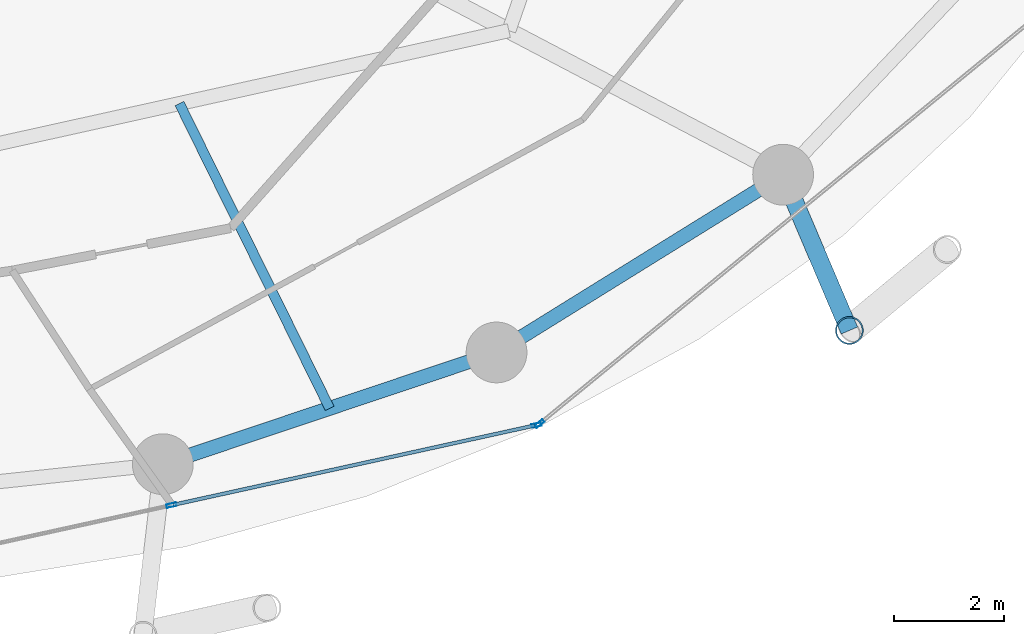
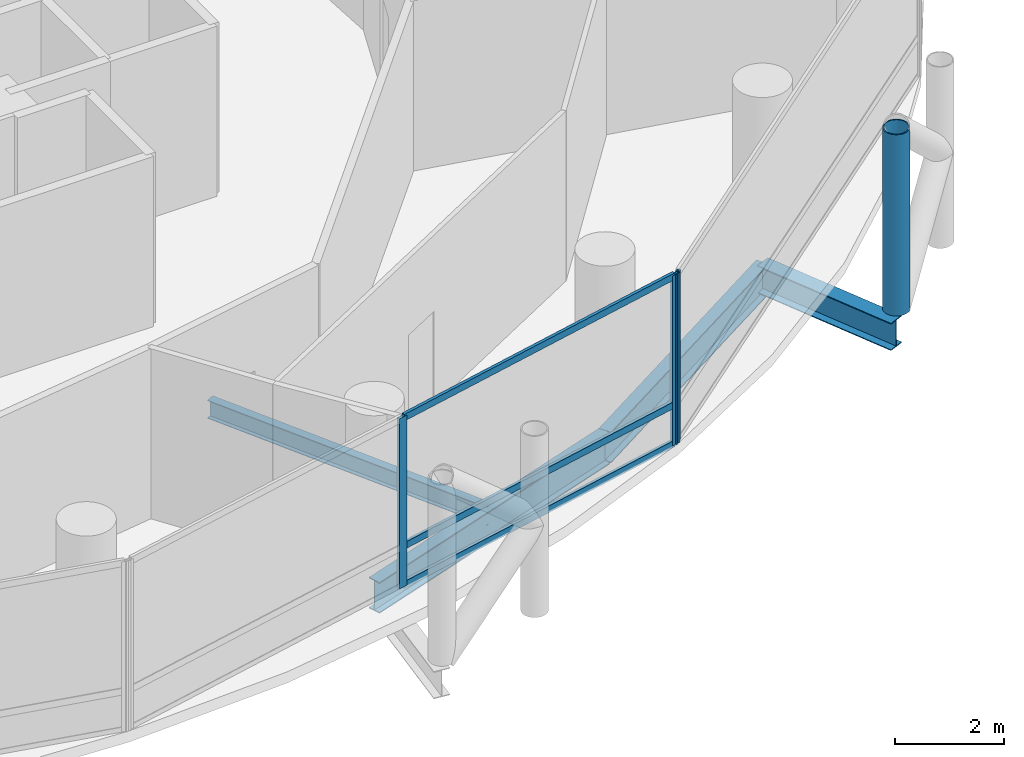
# One storey, part 8 of 24: 7 members, 4 beams, 2 elements without a shape of their own.
"""IFC4 building model written with IfcOpenShell, lengths in metres."""

from ifc_helpers import new_model, si_unit, direction, frame, origin, origin_2d, place, context, subcontext, project, spatial, hollow_rectangle, hollow_circle, i_section, extrude, material, layer, layer_set, material_profile, profile_set, type_object, element, aggregate, save


model = new_model("IFC4")

# Units and contexts
model_context = context("Model", 3, precision=1e-05, world=origin(), true_north=direction((0.0, 1.0)))
body_context = subcontext(model_context, "Body", "Model", "MODEL_VIEW")
ifc_project = project(units=[si_unit("LENGTHUNIT", "METRE"), si_unit("AREAUNIT", "SQUARE_METRE"), si_unit("VOLUMEUNIT", "CUBIC_METRE"), si_unit("PLANEANGLEUNIT", "RADIAN"), si_unit("MASSUNIT", "GRAM", prefix="KILO")], contexts=[model_context])

# Site, building, storey
site_placement = place(None, origin())
site = spatial("IfcSite", under=ifc_project, at=site_placement, CompositionType="ELEMENT")
building_placement = place(site_placement, origin())
building = spatial("IfcBuilding", under=site, at=building_placement, Name="Nuhasar Tower", CompositionType="ELEMENT")
storey_placement = place(building_placement, frame((0.0, 0.0, 89.85009765625)))
storey = spatial("IfcBuildingStorey", under=building, at=storey_placement, Name="L21", CompositionType="ELEMENT", Elevation=89.85009765625)

# Beams
ifc_material_1 = material(Name="Steel S355", Category="steel")
ifc_material_profile_1 = material_profile(ifc_material_1, i_section(OverallWidth=0.177978515625, OverallDepth=0.406005859375, WebThickness=0.0078125, FlangeThickness=0.0126953125, at=origin_2d()), Name="W16X40")
ifc_profile_set_1 = profile_set([ifc_material_profile_1], Name="Steel S355")
beam_type_1 = type_object("IfcBeamType", Name="BM-JST-W16X40", PredefinedType="JOIST", material=ifc_profile_set_1)
beam_1_placement = place(storey_placement, frame((45.783935546875, 13.77001953125, -0.453125), z_axis=(0.442126747458, -0.89695258469, 0.0), x_axis=(0.89695258469, 0.442126747458, 0.0)))
element("IfcBeam", 1, at=beam_1_placement, inside=storey, type_object=beam_type_1, Name="L21 Secondary Floor Joist 02", PredefinedType="JOIST", context=body_context, shape_type="SweptSolid", body=[
    extrude(i_section(OverallWidth=0.177978515625, OverallDepth=0.406005859375, WebThickness=0.0078125, FlangeThickness=0.0126953125, at=origin_2d()), origin(), (0.0, 0.0, 1.0), 6.152099609375),
])
ifc_material_profile_2 = material_profile(ifc_material_1, i_section(OverallWidth=0.256103515625, OverallDepth=0.693115234375, WebThickness=0.014404296875, FlangeThickness=0.023681640625, at=origin_2d()), Name="W27X114")
ifc_profile_set_2 = profile_set([ifc_material_profile_2], Name="Steel S355")
beam_type_2 = type_object("IfcBeamType", Name="BM-RING-W27X114", PredefinedType="SPANDREL", material=ifc_profile_set_2)
beam_2_placement = place(storey_placement, frame((45.48291015625, 7.239990234375, -0.59716796875), z_axis=(0.94826097201, 0.317491935271, 0.0), x_axis=(-0.317491935271, 0.94826097201, 0.0)))
element("IfcBeam", 2, at=beam_2_placement, inside=storey, type_object=beam_type_2, Name="L21 Perimeter Ring Spandrel 20", PredefinedType="SPANDREL", context=body_context, shape_type="SweptSolid", body=[
    extrude(i_section(OverallWidth=0.256103515625, OverallDepth=0.693115234375, WebThickness=0.014404296875, FlangeThickness=0.023681640625, at=origin_2d()), origin(), (0.0, 0.0, 1.0), 6.37158203125),
])
beam_3_placement = place(storey_placement, frame((51.52490234375, 9.262939453125, -0.59716796875), z_axis=(0.849795216549, 0.527112976439, 0.0), x_axis=(-0.527112976439, 0.849795216549, 0.0)))
element("IfcBeam", 3, at=beam_3_placement, inside=storey, type_object=beam_type_2, Name="L21 Perimeter Ring Spandrel 21", PredefinedType="SPANDREL", context=body_context, shape_type="SweptSolid", body=[
    extrude(i_section(OverallWidth=0.256103515625, OverallDepth=0.693115234375, WebThickness=0.014404296875, FlangeThickness=0.023681640625, at=origin_2d()), origin(), (0.0, 0.0, 1.0), 6.10498046875),
])
ifc_material_profile_3 = material_profile(ifc_material_1, i_section(OverallWidth=0.323974609375, OverallDepth=0.611083984375, WebThickness=0.0126953125, FlangeThickness=0.01904296875, at=origin_2d()), Name="W24X104")
ifc_profile_set_3 = profile_set([ifc_material_profile_3], Name="Steel S355")
beam_type_3 = type_object("IfcBeamType", Name="BM-TIE-W24X104", PredefinedType="BEAM", material=ifc_profile_set_3)
beam_4_placement = place(storey_placement, frame((56.712890625, 12.48095703125, -0.55615234375), z_axis=(0.391601084021, -0.920135093882, 0.0), x_axis=(0.920135093882, 0.391601084021, 0.0)))
element("IfcBeam", 4, at=beam_4_placement, inside=storey, type_object=beam_type_3, Name="L21 Exoskeleton Node Tie Beam 11", PredefinedType="BEAM", context=body_context, shape_type="SweptSolid", body=[
    extrude(i_section(OverallWidth=0.323974609375, OverallDepth=0.611083984375, WebThickness=0.0126953125, FlangeThickness=0.01904296875, at=origin_2d()), origin(), (0.0, 0.0, 1.0), 3.06494140625),
])

# Curtain wall, members
ifc_material_2 = material(Name="Aluminium 6063-T6", Category="aluminium")
ifc_layer = layer(ifc_material_2, 0.199951171875)
ifc_layer_set = layer_set([ifc_layer], Name="Aluminium 6063-T6")
curtain_wall_type = type_object("IfcCurtainWallType", Name="CW-Z1-OFF", PredefinedType="NOTDEFINED", material=ifc_layer_set)
curtain_wall_1_placement = place(storey_placement, origin())
curtain_wall_1 = element("IfcCurtainWall", 5, at=curtain_wall_1_placement, inside=storey, type_object=curtain_wall_type, Name="L21 Unitised Curtain Wall 10", PredefinedType="NOTDEFINED")
ifc_material_profile_4 = material_profile(ifc_material_2, hollow_rectangle(XDim=0.06494140625, YDim=0.179931640625, WallThickness=0.0048828125, at=origin_2d()), Name="CWM-2")
ifc_profile_set_4 = profile_set([ifc_material_profile_4], Name="Aluminium 6063-T6")
member_type_1 = type_object("IfcMemberType", Name="CW-MUL-S2", PredefinedType="MULLION", material=ifc_profile_set_4)
member_1_placement = place(storey_placement, frame((45.639892578125, 6.49755859375, 0.0), z_axis=(0.0, 0.0, 1.0), x_axis=(-0.214398737637, 0.976746221544, 0.0)))
member_1 = element("IfcMember", 6, at=member_1_placement, type_object=member_type_1, Name="CW-Z1 mullion 2", PredefinedType="MULLION", context=body_context, shape_type="SweptSolid", body=[
    extrude(hollow_rectangle(XDim=0.06494140625, YDim=0.179931640625, WallThickness=0.0048828125, at=origin_2d()), origin(), (0.0, 0.0, 1.0), 3.7998046875),
])
member_2_placement = place(storey_placement, frame((52.248291015625, 7.947998046875, 0.0), z_axis=(0.0, 0.0, 1.0), x_axis=(-0.214398737637, 0.976746221544, 0.0)))
member_2 = element("IfcMember", 7, at=member_2_placement, type_object=member_type_1, Name="CW-Z1 mullion 3", PredefinedType="MULLION", context=body_context, shape_type="SweptSolid", body=[
    extrude(hollow_rectangle(XDim=0.06494140625, YDim=0.179931640625, WallThickness=0.0048828125, at=origin_2d()), origin(), (0.0, 0.0, 1.0), 3.7998046875),
])

# Curtain wall, member
curtain_wall_2_placement = place(storey_placement, origin())
curtain_wall_2 = element("IfcCurtainWall", 8, at=curtain_wall_2_placement, inside=storey, type_object=curtain_wall_type, Name="L21 Unitised Curtain Wall 11", PredefinedType="NOTDEFINED")
member_3_placement = place(storey_placement, frame((52.30517578125, 7.9755859375, 0.0), z_axis=(0.0, 0.0, 1.0), x_axis=(-0.633744593376, 0.773542364946, 0.0)))
member_3 = element("IfcMember", 9, at=member_3_placement, type_object=member_type_1, Name="CW-Z1 mullion 1", PredefinedType="MULLION", context=body_context, shape_type="SweptSolid", body=[
    extrude(hollow_rectangle(XDim=0.06494140625, YDim=0.179931640625, WallThickness=0.0048828125, at=origin_2d()), origin(), (0.0, 0.0, 1.0), 3.7998046875),
])
aggregate(curtain_wall_2, [member_3])

# Member
ifc_material_profile_5 = material_profile(ifc_material_2, hollow_rectangle(XDim=0.06494140625, YDim=0.14990234375, WallThickness=0.00439453125, at=origin_2d()), Name="CWT-2")
ifc_profile_set_5 = profile_set([ifc_material_profile_5], Name="Aluminium 6063-T6")
member_type_2 = type_object("IfcMemberType", Name="CW-TRN-S2", PredefinedType="USERDEFINED", material=ifc_profile_set_5)
member_4_placement = place(storey_placement, frame((45.671630859375, 6.50439453125, 0.032470703125), z_axis=(0.976741923778, 0.214418316228, 0.0), x_axis=(-0.214418316228, 0.976741923778, 0.0)))
member_4 = element("IfcMember", 10, at=member_4_placement, type_object=member_type_2, Name="CW-Z1 transom 2.1", ObjectType="TRANSOM", PredefinedType="USERDEFINED", context=body_context, shape_type="SweptSolid", body=[
    extrude(hollow_rectangle(XDim=0.06494140625, YDim=0.14990234375, WallThickness=0.00439453125, at=origin_2d()), origin(), (0.0, 0.0, 1.0), 6.70068359375),
])

member_5_placement = place(storey_placement, frame((45.671630859375, 6.50439453125, 0.89990234375), z_axis=(0.976741923778, 0.214418316228, 0.0), x_axis=(-0.214418316228, 0.976741923778, 0.0)))
member_5 = element("IfcMember", 11, at=member_5_placement, type_object=member_type_2, Name="CW-Z1 transom 2.2", ObjectType="TRANSOM", PredefinedType="USERDEFINED", context=body_context, shape_type="SweptSolid", body=[
    extrude(hollow_rectangle(XDim=0.06494140625, YDim=0.14990234375, WallThickness=0.00439453125, at=origin_2d()), origin(), (0.0, 0.0, 1.0), 6.70068359375),
])

member_6_placement = place(storey_placement, frame((45.671630859375, 6.50439453125, 3.767333984375), z_axis=(0.976741923778, 0.214418316228, 0.0), x_axis=(-0.214418316228, 0.976741923778, 0.0)))
member_6 = element("IfcMember", 12, at=member_6_placement, type_object=member_type_2, Name="CW-Z1 transom 2.3", ObjectType="TRANSOM", PredefinedType="USERDEFINED", context=body_context, shape_type="SweptSolid", body=[
    extrude(hollow_rectangle(XDim=0.06494140625, YDim=0.14990234375, WallThickness=0.00439453125, at=origin_2d()), origin(), (0.0, 0.0, 1.0), 6.70068359375),
])

aggregate(curtain_wall_1, [member_1, member_2, member_4, member_5, member_6])

ifc_material_3 = material(Name="Steel S460", Category="steel")
ifc_material_profile_6 = material_profile(ifc_material_3, hollow_circle(Radius=0.25390625, WallThickness=0.025390625, at=origin_2d()), Name="HSS508X25.4")
ifc_profile_set_6 = profile_set([ifc_material_profile_6], Name="Steel S460")
member_type_3 = type_object("IfcMemberType", Name="EXO-BRONZE-508", PredefinedType="BRACE", material=ifc_profile_set_6)
member_7_placement = place(storey_placement, frame((57.9130859375, 9.660888671875, 0.0), z_axis=(0.0, 0.0, 1.0), x_axis=(1.0, 0.0, 0.0)))
element("IfcMember", 13, at=member_7_placement, inside=storey, type_object=member_type_3, Name="L21 Exoskeleton Chord Column EC-11A", PredefinedType="BRACE", context=body_context, shape_type="SweptSolid", body=[
    extrude(hollow_circle(Radius=0.25390625, WallThickness=0.025390625, at=origin_2d()), origin(), (0.0, 0.0, 1.0), 4.0498046875),
])

save(model, "model.ifc")
